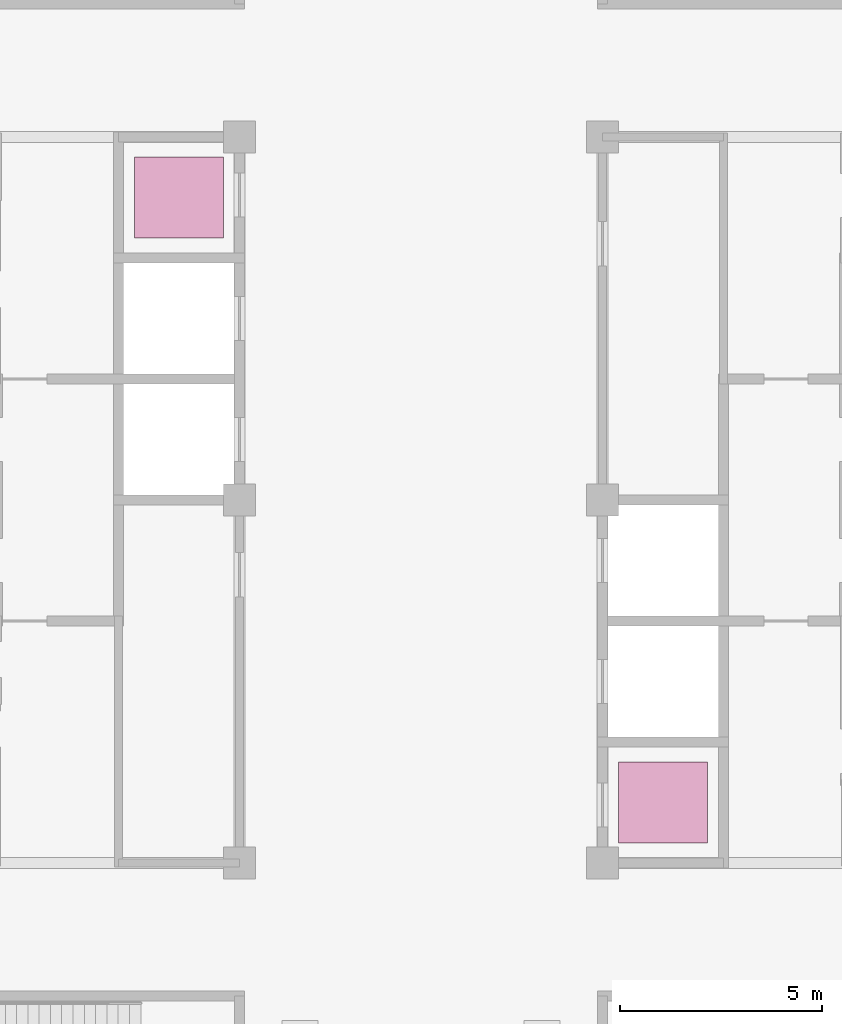
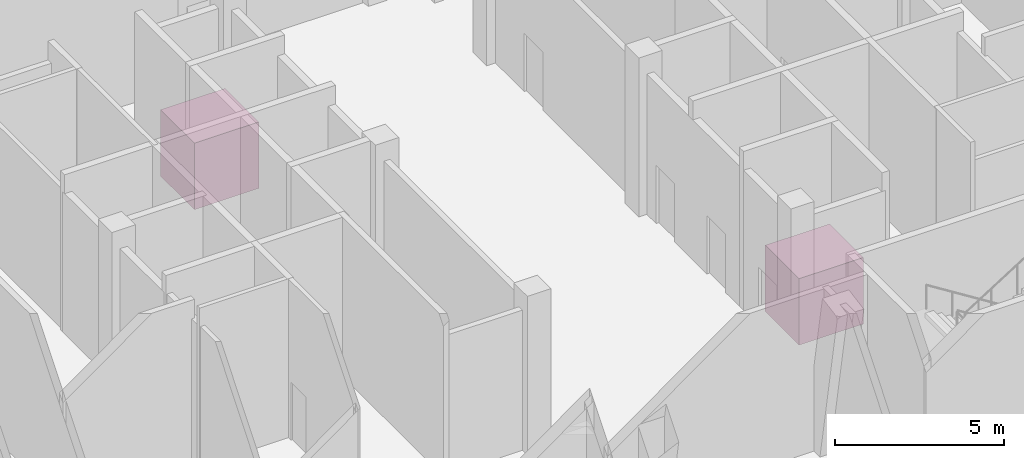
# One storey, part 11 of 11: 2 transport elements.
"""IFC4 building model written with IfcOpenShell, lengths in metres."""

from ifc_helpers import new_model, si_unit, direction, frame, origin, origin_2d, place, context, subcontext, project, spatial, rectangle, extrude, material, type_object, element, save


model = new_model("IFC4")

# Units and contexts
model_context = context("Model", 3, precision=1e-05, world=origin(), true_north=direction((0.0, 1.0)))
body_context = subcontext(model_context, "Body", "Model", "MODEL_VIEW")
ifc_project = project(units=[si_unit("LENGTHUNIT", "METRE"), si_unit("AREAUNIT", "SQUARE_METRE"), si_unit("VOLUMEUNIT", "CUBIC_METRE"), si_unit("PLANEANGLEUNIT", "RADIAN"), si_unit("MASSUNIT", "GRAM", prefix="KILO")], contexts=[model_context])

# Site, building, storey
site_placement = place(None, origin())
site = spatial("IfcSite", under=ifc_project, at=site_placement, CompositionType="ELEMENT")
building_placement = place(site_placement, origin())
building = spatial("IfcBuilding", under=site, at=building_placement, Name="Corbelhall Arena Tower", CompositionType="ELEMENT")
storey_placement = place(building_placement, frame((0.0, 0.0, 294.0)))
storey = spatial("IfcBuildingStorey", under=building, at=storey_placement, Name="L64", CompositionType="ELEMENT", Elevation=294.0)

# Transport elements
ifc_material = material(Name="Stainless steel A4", Category="steel")
transport_element_type = type_object("IfcTransportElementType", Name="IN-LF-PASS", PredefinedType="ELEVATOR", material=ifc_material)
for number, where, z_axis, x_axis, name in (
    (1, (6.0, -7.5, 0.0), (0.0, 0.0, 1.0), (1.0, 0.0, 0.0), "Passenger lift high-rise PH1"),
    (2, (-6.0, 7.5, 0.0), (0.0, 0.0, 1.0), (1.0, 0.0, 0.0), "Passenger lift high-rise PH2"),
):
    element("IfcTransportElement", number, at=place(storey_placement, frame(where, z_axis=z_axis, x_axis=x_axis)), inside=storey, type_object=transport_element_type, Name=name, PredefinedType="ELEVATOR", context=body_context, shape_type="SweptSolid", body=[
        extrude(rectangle(XDim=2.199951171875, YDim=2.0, at=origin_2d()), origin(), (0.0, 0.0, 1.0), 2.39990234375),
    ])

save(model, "model.ifc")
